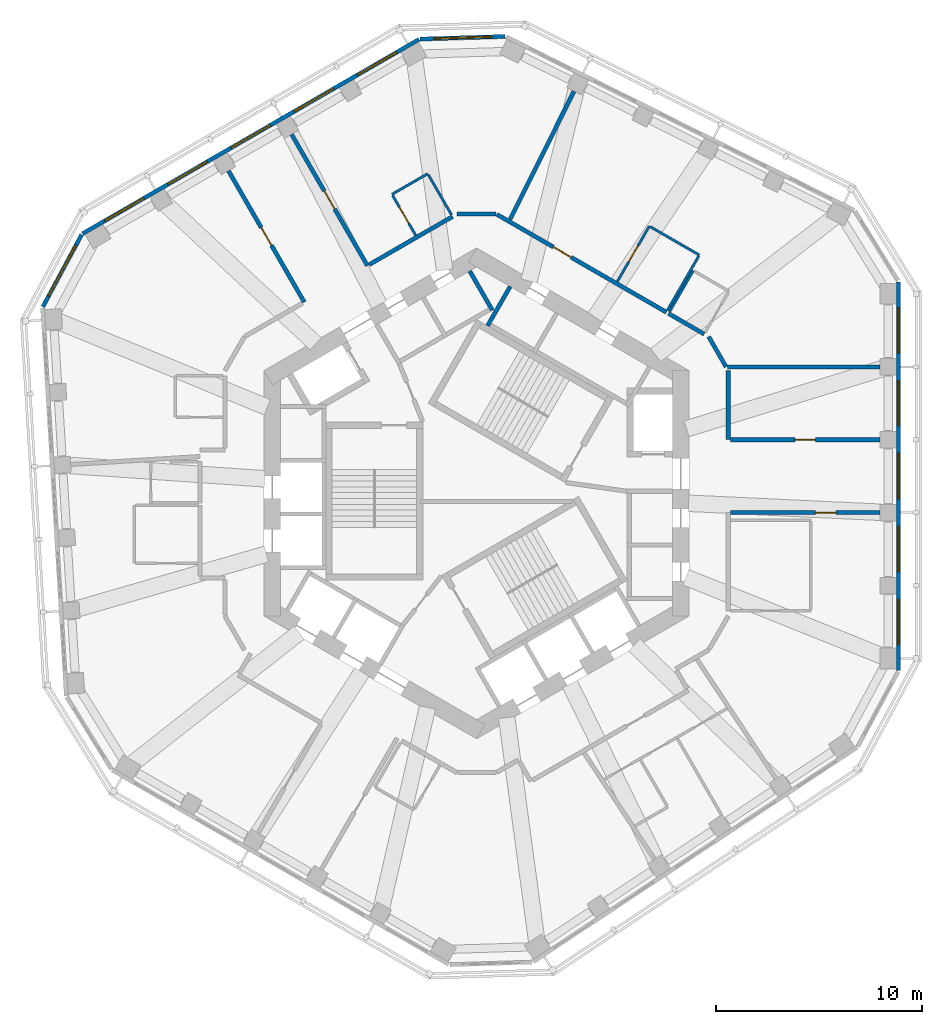
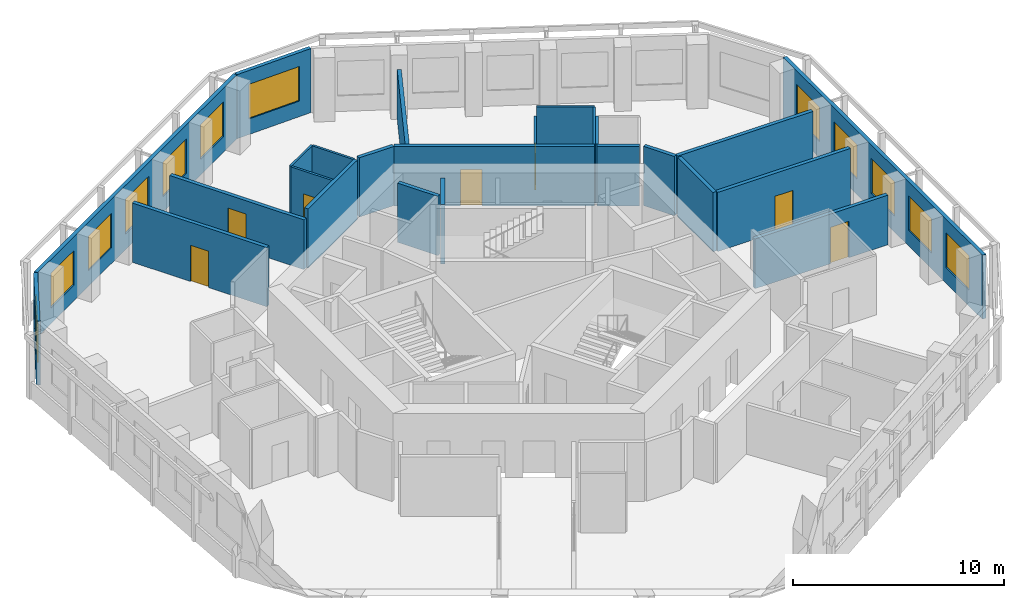
# One storey, part 7 of 11: 25 walls, 12 windows, 7 doors, 19 openings.
"""IFC4 building model written with IfcOpenShell, lengths in metres."""

from ifc_helpers import new_model, si_unit, direction, frame, frame_2d, origin, place, context, subcontext, project, spatial, rectangle, extrude, material, layer, layer_set, type_object, element, fill, save


model = new_model("IFC4")

# Units and contexts
model_context = context("Model", 3, precision=1e-05, world=origin(), true_north=direction((0.0, 1.0)))
body_context = subcontext(model_context, "Body", "Model", "MODEL_VIEW")
ifc_project = project(units=[si_unit("LENGTHUNIT", "METRE"), si_unit("AREAUNIT", "SQUARE_METRE"), si_unit("VOLUMEUNIT", "CUBIC_METRE"), si_unit("PLANEANGLEUNIT", "RADIAN"), si_unit("MASSUNIT", "GRAM", prefix="KILO")], contexts=[model_context])

# Site, building, storey
site_placement = place(None, origin())
site = spatial("IfcSite", under=ifc_project, at=site_placement, CompositionType="ELEMENT")
building_placement = place(site_placement, origin())
building = spatial("IfcBuilding", under=site, at=building_placement, Name="Vanh Sen Convention Tower", CompositionType="ELEMENT")
storey_placement = place(building_placement, frame((0.0, 0.0, 243.89990234375)))
storey = spatial("IfcBuildingStorey", under=building, at=storey_placement, Name="L60", CompositionType="ELEMENT", Elevation=243.89990234375)

# Wall
ifc_material_1 = material(Name="Moisture-resistant gypsum board on steel studs", Category="steel")
ifc_layer_1 = layer(ifc_material_1, 0.1201171875)
ifc_layer_set_1 = layer_set([ifc_layer_1], Name="Moisture-resistant gypsum board on steel studs")
wall_type_1 = type_object("IfcWallType", Name="Bathroom partition 120", PredefinedType="PARTITIONING", material=ifc_layer_set_1)
wall_1_placement = place(storey_placement, frame((-4.0986328125, 14.4921875, 0.0), z_axis=(0.0, 0.0, 1.0), x_axis=(0.866041268327, 0.499972520799, 0.0)))
element("IfcWall", 1, at=wall_1_placement, inside=storey, type_object=wall_type_1, Name="Bathroom partition 120", PredefinedType="PARTITIONING", context=body_context, shape_type="SweptSolid", body=[
    extrude(rectangle(XDim=2.0, YDim=0.1201171875, at=frame_2d((1.0, 0.0))), origin(), (0.0, 0.0, 1.0), 3.420166015625),
])

# Wall, opening, door
wall_2_placement = place(storey_placement, frame((-2.948486328125, 12.50048828125, 0.0), z_axis=(0.0, 0.0, 1.0), x_axis=(-0.500077830873, 0.865980463445, 0.0)))
wall_2 = element("IfcWall", 2, at=wall_2_placement, inside=storey, type_object=wall_type_1, Name="Bathroom partition 120", PredefinedType="PARTITIONING", context=body_context, shape_type="SweptSolid", body=[
    extrude(rectangle(XDim=2.239990234375, YDim=0.1201171875, at=frame_2d((1.1201171875, 0.0))), origin(), (0.0, 0.0, 1.0), 3.420166015625),
])
opening_1_placement = place(wall_2_placement, frame((0.669921875, 0.0, 0.0)))
opening_1 = element("IfcOpeningElement", 3, at=opening_1_placement, cuts=wall_2, Name="Opening D59106", PredefinedType="OPENING", context=body_context, shape_type="SweptSolid", body=[
    extrude(rectangle(XDim=0.89990234375, YDim=2.10009765625, at=frame_2d((0.449951171875, 1.050048828125))), frame((0.0, 0.070068359375, 0.0), z_axis=(0.0, -1.0, 0.0), x_axis=(1.0, 0.0, 0.0)), (0.0, 0.0, 1.0), 0.14013671875),
])
ifc_material_2 = material(Name="Laminate door in steel frame", Category="steel")
door_type_1 = type_object("IfcDoorType", Name="Room internal door 900", OperationType="SINGLE_SWING_LEFT", PredefinedType="DOOR", material=ifc_material_2)
door_1_placement = place(opening_1_placement, origin())
door_1 = element("IfcDoor", 4, at=door_1_placement, inside=storey, type_object=door_type_1, Name="Internal room door D59106", OperationType="SINGLE_SWING_LEFT", OverallHeight=2.10009765625, OverallWidth=0.89990234375, PredefinedType="DOOR", context=body_context, shape_type="SweptSolid", body=[
    extrude(rectangle(XDim=0.89990234375, YDim=2.10009765625, at=frame_2d((0.449951171875, 1.050048828125))), frame((0.0, 0.02490234375, 0.0), z_axis=(0.0, -1.0, 0.0), x_axis=(1.0, 0.0, 0.0)), (0.0, 0.0, 1.0), 0.050048828125),
])
fill(opening_1, door_1)

# Wall
wall_3_placement = place(storey_placement, frame((-2.33642578125, 15.440185546875, 0.0), z_axis=(0.0, 0.0, 1.0), x_axis=(0.49999608499, -0.866027664105, 0.0)))
element("IfcWall", 5, at=wall_3_placement, inside=storey, type_object=wall_type_1, Name="Bathroom partition 120", PredefinedType="PARTITIONING", context=body_context, shape_type="SweptSolid", body=[
    extrude(rectangle(XDim=2.23974609375, YDim=0.1201171875, at=frame_2d((1.119873046875, 0.0))), origin(), (0.0, 0.0, 1.0), 3.420166015625),
])

# Wall, opening, door
wall_4_placement = place(storey_placement, frame((6.822509765625, 10.263671875, 0.0), z_axis=(0.0, 0.0, 1.0), x_axis=(0.49999285859, 0.86602952684, 0.0)))
wall_4 = element("IfcWall", 6, at=wall_4_placement, inside=storey, type_object=wall_type_1, Name="Bathroom partition 120", PredefinedType="PARTITIONING", context=body_context, shape_type="SweptSolid", body=[
    extrude(rectangle(XDim=3.10009765625, YDim=0.1201171875, at=frame_2d((1.550048828125, 0.0))), origin(), (0.0, 0.0, 1.0), 2.8701171875),
])
opening_2_placement = place(wall_4_placement, frame((1.10009765625, 0.0, 0.0)))
opening_2 = element("IfcOpeningElement", 7, at=opening_2_placement, cuts=wall_4, Name="Opening D59104", PredefinedType="OPENING", context=body_context, shape_type="SweptSolid", body=[
    extrude(rectangle(XDim=0.89990234375, YDim=2.10009765625, at=frame_2d((0.449951171875, 1.050048828125))), frame((0.0, 0.070068359375, 0.0), z_axis=(0.0, -1.0, 0.0), x_axis=(1.0, 0.0, 0.0)), (0.0, 0.0, 1.0), 0.14013671875),
])
door_2_placement = place(opening_2_placement, origin())
door_2 = element("IfcDoor", 8, at=door_2_placement, inside=storey, type_object=door_type_1, Name="Internal room door D59104", OperationType="SINGLE_SWING_LEFT", OverallHeight=2.10009765625, OverallWidth=0.89990234375, PredefinedType="DOOR", context=body_context, shape_type="SweptSolid", body=[
    extrude(rectangle(XDim=0.89990234375, YDim=2.10009765625, at=frame_2d((0.449951171875, 1.050048828125))), frame((0.0, 0.02490234375, 0.0), z_axis=(0.0, -1.0, 0.0), x_axis=(1.0, 0.0, 0.0)), (0.0, 0.0, 1.0), 0.050048828125),
])
fill(opening_2, door_2)

# Walls
wall_5_placement = place(storey_placement, frame((8.424560546875, 12.91845703125, 0.0), z_axis=(0.0, 0.0, 1.0), x_axis=(0.866019409031, -0.500010383074, 0.0)))
element("IfcWall", 9, at=wall_5_placement, inside=storey, type_object=wall_type_1, Name="Bathroom partition 120", PredefinedType="PARTITIONING", context=body_context, shape_type="SweptSolid", body=[
    extrude(rectangle(XDim=2.740234375, YDim=0.1201171875, at=frame_2d((1.3701171875, 0.0))), origin(), (0.0, 0.0, 1.0), 3.420166015625),
])
wall_6_placement = place(storey_placement, frame((9.351318359375, 8.8037109375, 0.0), z_axis=(0.0, 0.0, 1.0), x_axis=(0.500031774688, 0.866007057882, 0.0)))
element("IfcWall", 10, at=wall_6_placement, inside=storey, type_object=wall_type_1, Name="Bathroom partition 120", PredefinedType="PARTITIONING", context=body_context, shape_type="SweptSolid", body=[
    extrude(rectangle(XDim=2.300048828125, YDim=0.1201171875, at=frame_2d((1.14990234375, 0.0))), origin(), (0.0, 0.0, 1.0), 3.420166015625),
])
wall_7_placement = place(storey_placement, frame((10.767578125, 11.496337890625, 0.0), z_axis=(0.0, 0.0, 1.0), x_axis=(-0.500026023896, -0.86601037836, 0.0)))
element("IfcWall", 11, at=wall_7_placement, inside=storey, type_object=wall_type_1, Name="Bathroom partition 120", PredefinedType="PARTITIONING", context=body_context, shape_type="SweptSolid", body=[
    extrude(rectangle(XDim=3.039794921875, YDim=0.1201171875, at=frame_2d((1.52001953125, 0.0))), origin(), (0.0, 0.0, 1.0), 3.420166015625),
])

# Wall, opening, door
ifc_material_3 = material(Name="Gypsum board on steel studs with mineral wool", Category="steel")
ifc_layer_2 = layer(ifc_material_3, 0.199951171875)
ifc_layer_set_2 = layer_set([ifc_layer_2], Name="Gypsum board on steel studs with mineral wool")
wall_type_2 = type_object("IfcWallType", Name="Corridor partition wall 200", PredefinedType="PARTITIONING", material=ifc_layer_set_2)
wall_8_placement = place(storey_placement, frame((-12.02490234375, 15.6318359375, 0.0), z_axis=(0.0, 0.0, 1.0), x_axis=(0.499983153418, -0.866035129944, 0.0)))
wall_8 = element("IfcWall", 12, at=wall_8_placement, inside=storey, type_object=wall_type_2, Name="Corridor partition wall 200", PredefinedType="PARTITIONING", context=body_context, shape_type="SweptSolid", body=[
    extrude(rectangle(XDim=7.349853515625, YDim=0.199951171875, at=frame_2d((3.6748046875, 0.0))), origin(), (0.0, 0.0, 1.0), 3.420166015625),
])
opening_3_placement = place(wall_8_placement, frame((3.175048828125, 0.0, 0.0)))
opening_3 = element("IfcOpeningElement", 13, at=opening_3_placement, cuts=wall_8, Name="Opening D59107", PredefinedType="OPENING", context=body_context, shape_type="SweptSolid", body=[
    extrude(rectangle(XDim=1.0, YDim=2.10009765625, at=frame_2d((0.5, 1.050048828125))), frame((0.0, 0.10986328125, 0.0), z_axis=(0.0, -1.0, 0.0), x_axis=(1.0, 0.0, 0.0)), (0.0, 0.0, 1.0), 0.219970703125),
])
ifc_material_4 = material(Name="Glazed fire door in steel frame", Category="steel")
door_type_2 = type_object("IfcDoorType", Name="Tenant entrance door 1000", OperationType="SINGLE_SWING_LEFT", PredefinedType="DOOR", material=ifc_material_4)
door_3_placement = place(opening_3_placement, origin())
door_3 = element("IfcDoor", 14, at=door_3_placement, inside=storey, type_object=door_type_2, Name="Tenant suite entrance door D59107", OperationType="SINGLE_SWING_LEFT", OverallHeight=2.10009765625, OverallWidth=1.0, PredefinedType="DOOR", context=body_context, shape_type="SweptSolid", body=[
    extrude(rectangle(XDim=1.0, YDim=2.10009765625, at=frame_2d((0.5, 1.050048828125))), frame((0.0, 0.02490234375, 0.0), z_axis=(0.0, -1.0, 0.0), x_axis=(1.0, 0.0, 0.0)), (0.0, 0.0, 1.0), 0.050048828125),
])
fill(opening_3, door_3)

wall_9_placement = place(storey_placement, frame((-8.96484375, 17.398681640625, 0.0), z_axis=(0.0, 0.0, 1.0), x_axis=(0.499993683172, -0.866029050776, 0.0)))
wall_9 = element("IfcWall", 15, at=wall_9_placement, inside=storey, type_object=wall_type_2, Name="Corridor partition wall 200", PredefinedType="PARTITIONING", context=body_context, shape_type="SweptSolid", body=[
    extrude(rectangle(XDim=7.35009765625, YDim=0.199951171875, at=frame_2d((3.675048828125, 0.0))), origin(), (0.0, 0.0, 1.0), 2.8701171875),
])
opening_4_placement = place(wall_9_placement, frame((3.175048828125, 0.0, 0.0)))
opening_4 = element("IfcOpeningElement", 16, at=opening_4_placement, cuts=wall_9, Name="Opening D59105", PredefinedType="OPENING", context=body_context, shape_type="SweptSolid", body=[
    extrude(rectangle(XDim=1.0, YDim=2.10009765625, at=frame_2d((0.5, 1.050048828125))), frame((0.0, 0.10986328125, 0.0), z_axis=(0.0, -1.0, 0.0), x_axis=(1.0, 0.0, 0.0)), (0.0, 0.0, 1.0), 0.219970703125),
])
door_4_placement = place(opening_4_placement, origin())
door_4 = element("IfcDoor", 17, at=door_4_placement, inside=storey, type_object=door_type_2, Name="Tenant suite entrance door D59105", OperationType="SINGLE_SWING_LEFT", OverallHeight=2.10009765625, OverallWidth=1.0, PredefinedType="DOOR", context=body_context, shape_type="SweptSolid", body=[
    extrude(rectangle(XDim=1.0, YDim=2.10009765625, at=frame_2d((0.5, 1.050048828125))), frame((0.0, 0.02490234375, 0.0), z_axis=(0.0, -1.0, 0.0), x_axis=(1.0, 0.0, 0.0)), (0.0, 0.0, 1.0), 0.050048828125),
])
fill(opening_4, door_4)

# Walls
wall_10_placement = place(storey_placement, frame((-1.16650390625, 13.413818359375, 0.0), z_axis=(0.0, 0.0, 1.0), x_axis=(-0.866023347809, -0.500003561037, 0.0)))
element("IfcWall", 18, at=wall_10_placement, inside=storey, type_object=wall_type_2, Name="Corridor partition wall 200", PredefinedType="PARTITIONING", context=body_context, shape_type="SweptSolid", body=[
    extrude(rectangle(XDim=4.6611328125, YDim=0.199951171875, at=frame_2d((2.33056640625, 0.0))), origin(), (0.0, 0.0, 1.0), 3.420166015625),
])
wall_11_placement = place(storey_placement, frame((0.949951171875, 13.538818359375, 0.0), z_axis=(0.0, 0.0, 1.0), x_axis=(-1.0, 0.0, 0.0)))
element("IfcWall", 19, at=wall_11_placement, inside=storey, type_object=wall_type_2, Name="Corridor partition wall 200", PredefinedType="PARTITIONING", context=body_context, shape_type="SweptSolid", body=[
    extrude(rectangle(XDim=1.89990234375, YDim=0.199951171875, at=frame_2d((0.949951171875, 0.0))), origin(), (0.0, 0.0, 1.0), 3.420166015625),
])

# Wall, opening, door
wall_12_placement = place(storey_placement, frame((9.197509765625, 8.777099609375, 0.0), z_axis=(0.0, 0.0, 1.0), x_axis=(-0.866026106692, 0.499998782526, 0.0)))
wall_12 = element("IfcWall", 20, at=wall_12_placement, inside=storey, type_object=wall_type_2, Name="Corridor partition wall 200", PredefinedType="PARTITIONING", context=body_context, shape_type="SweptSolid", body=[
    extrude(rectangle(XDim=9.4833984375, YDim=0.199951171875, at=frame_2d((4.74169921875, 0.0))), origin(), (0.0, 0.0, 1.0), 3.420166015625),
])
opening_5_placement = place(wall_12_placement, frame((5.3251953125, 0.0, 0.0)))
opening_5 = element("IfcOpeningElement", 21, at=opening_5_placement, cuts=wall_12, Name="Opening D59102", PredefinedType="OPENING", context=body_context, shape_type="SweptSolid", body=[
    extrude(rectangle(XDim=1.0, YDim=2.10009765625, at=frame_2d((0.5, 1.050048828125))), frame((0.0, 0.10986328125, 0.0), z_axis=(0.0, -1.0, 0.0), x_axis=(1.0, 0.0, 0.0)), (0.0, 0.0, 1.0), 0.219970703125),
])
door_5_placement = place(opening_5_placement, origin())
door_5 = element("IfcDoor", 22, at=door_5_placement, inside=storey, type_object=door_type_2, Name="Tenant suite entrance door D59102", OperationType="SINGLE_SWING_LEFT", OverallHeight=2.10009765625, OverallWidth=1.0, PredefinedType="DOOR", context=body_context, shape_type="SweptSolid", body=[
    extrude(rectangle(XDim=1.0, YDim=2.10009765625, at=frame_2d((0.5, 1.050048828125))), frame((0.0, 0.02490234375, 0.0), z_axis=(0.0, -1.0, 0.0), x_axis=(1.0, 0.0, 0.0)), (0.0, 0.0, 1.0), 0.050048828125),
])
fill(opening_5, door_5)

# Walls
wall_13_placement = place(storey_placement, frame((11.033447265625, 7.717041015625, 0.0), z_axis=(0.0, 0.0, 1.0), x_axis=(-0.866010750942, 0.50002537861, 0.0)))
element("IfcWall", 23, at=wall_13_placement, inside=storey, type_object=wall_type_2, Name="Corridor partition wall 200", PredefinedType="PARTITIONING", context=body_context, shape_type="SweptSolid", body=[
    extrude(rectangle(XDim=2.0, YDim=0.199951171875, at=frame_2d((1.0, 0.0))), origin(), (0.0, 0.0, 1.0), 3.420166015625),
])
wall_14_placement = place(storey_placement, frame((12.09326171875, 6.131591796875, 0.0), z_axis=(0.0, 0.0, 1.0), x_axis=(-0.500031561776, 0.866007180818, 0.0)))
element("IfcWall", 24, at=wall_14_placement, inside=storey, type_object=wall_type_2, Name="Corridor partition wall 200", PredefinedType="PARTITIONING", context=body_context, shape_type="SweptSolid", body=[
    extrude(rectangle(XDim=1.6865234375, YDim=0.199951171875, at=frame_2d((0.84326171875, 0.0))), origin(), (0.0, 0.0, 1.0), 3.420166015625),
])
wall_15_placement = place(storey_placement, frame((12.199951171875, 2.59814453125, 0.0), z_axis=(0.0, 0.0, 1.0), x_axis=(0.0, 1.0, 0.0)))
element("IfcWall", 25, at=wall_15_placement, inside=storey, type_object=wall_type_2, Name="Corridor partition wall 200", PredefinedType="PARTITIONING", context=body_context, shape_type="SweptSolid", body=[
    extrude(rectangle(XDim=3.3486328125, YDim=0.199951171875, at=frame_2d((1.67431640625, 0.0))), origin(), (0.0, 0.0, 1.0), 3.420166015625),
])

# Wall, opening, door
wall_16_placement = place(storey_placement, frame((12.300048828125, -0.935546875, 0.0), z_axis=(0.0, 0.0, 1.0), x_axis=(1.0, 0.0, 0.0)))
wall_16 = element("IfcWall", 26, at=wall_16_placement, inside=storey, type_object=wall_type_2, Name="Corridor partition wall 200", PredefinedType="PARTITIONING", context=body_context, shape_type="SweptSolid", body=[
    extrude(rectangle(XDim=7.25, YDim=0.199951171875, at=frame_2d((3.625, 0.0))), origin(), (0.0, 0.0, 1.0), 2.8701171875),
])
opening_6_placement = place(wall_16_placement, frame((4.125, 0.0, 0.0)))
opening_6 = element("IfcOpeningElement", 27, at=opening_6_placement, cuts=wall_16, Name="Opening D59118", PredefinedType="OPENING", context=body_context, shape_type="SweptSolid", body=[
    extrude(rectangle(XDim=1.0, YDim=2.10009765625, at=frame_2d((0.5, 1.050048828125))), frame((0.0, 0.10986328125, 0.0), z_axis=(0.0, -1.0, 0.0), x_axis=(1.0, 0.0, 0.0)), (0.0, 0.0, 1.0), 0.219970703125),
])
door_6_placement = place(opening_6_placement, origin())
door_6 = element("IfcDoor", 28, at=door_6_placement, inside=storey, type_object=door_type_2, Name="Tenant suite entrance door D59118", OperationType="SINGLE_SWING_LEFT", OverallHeight=2.10009765625, OverallWidth=1.0, PredefinedType="DOOR", context=body_context, shape_type="SweptSolid", body=[
    extrude(rectangle(XDim=1.0, YDim=2.10009765625, at=frame_2d((0.5, 1.050048828125))), frame((0.0, 0.02490234375, 0.0), z_axis=(0.0, -1.0, 0.0), x_axis=(1.0, 0.0, 0.0)), (0.0, 0.0, 1.0), 0.050048828125),
])
fill(opening_6, door_6)

wall_17_placement = place(storey_placement, frame((19.550048828125, 2.59814453125, 0.0), z_axis=(0.0, 0.0, 1.0), x_axis=(-1.0, 0.0, 0.0)))
wall_17 = element("IfcWall", 29, at=wall_17_placement, inside=storey, type_object=wall_type_2, Name="Corridor partition wall 200", PredefinedType="PARTITIONING", context=body_context, shape_type="SweptSolid", body=[
    extrude(rectangle(XDim=7.25, YDim=0.199951171875, at=frame_2d((3.625, 0.0))), origin(), (0.0, 0.0, 1.0), 3.420166015625),
])
opening_7_placement = place(wall_17_placement, frame((3.125, 0.0, 0.0)))
opening_7 = element("IfcOpeningElement", 30, at=opening_7_placement, cuts=wall_17, Name="Opening D59101", PredefinedType="OPENING", context=body_context, shape_type="SweptSolid", body=[
    extrude(rectangle(XDim=1.0, YDim=2.10009765625, at=frame_2d((0.5, 1.050048828125))), frame((0.0, 0.10986328125, 0.0), z_axis=(0.0, -1.0, 0.0), x_axis=(1.0, 0.0, 0.0)), (0.0, 0.0, 1.0), 0.219970703125),
])
door_7_placement = place(opening_7_placement, origin())
door_7 = element("IfcDoor", 31, at=door_7_placement, inside=storey, type_object=door_type_2, Name="Tenant suite entrance door D59101", OperationType="SINGLE_SWING_LEFT", OverallHeight=2.10009765625, OverallWidth=1.0, PredefinedType="DOOR", context=body_context, shape_type="SweptSolid", body=[
    extrude(rectangle(XDim=1.0, YDim=2.10009765625, at=frame_2d((0.5, 1.050048828125))), frame((0.0, 0.02490234375, 0.0), z_axis=(0.0, -1.0, 0.0), x_axis=(1.0, 0.0, 0.0)), (0.0, 0.0, 1.0), 0.050048828125),
])
fill(opening_7, door_7)

# Wall, openings, windows
ifc_material_5 = material(Name="Insulated lightweight infill wall")
ifc_layer_3 = layer(ifc_material_5, 0.199951171875)
ifc_layer_set_3 = layer_set([ifc_layer_3], Name="Insulated lightweight infill wall")
wall_type_3 = type_object("IfcWallType", Name="External wall 200", PredefinedType="STANDARD", material=ifc_layer_set_3)
wall_18_placement = place(storey_placement, frame((20.449951171875, -8.590087890625, 0.0), z_axis=(0.0, 0.0, 1.0), x_axis=(0.0, 1.0, 0.0)))
wall_18 = element("IfcWall", 32, at=wall_18_placement, inside=storey, type_object=wall_type_3, Name="External wall E L60", PredefinedType="STANDARD", context=body_context, shape_type="SweptSolid", body=[
    extrude(rectangle(XDim=18.84130859375, YDim=0.199951171875, at=frame_2d((9.420654296875, 0.0))), origin(), (0.0, 0.0, 1.0), 3.7001953125),
])
opening_8_placement = place(wall_18_placement, frame((1.254150390625, 0.0, 0.89990234375)))
opening_8 = element("IfcOpeningElement", 33, at=opening_8_placement, cuts=wall_18, Name="Opening WO3-E1", PredefinedType="OPENING", context=body_context, shape_type="SweptSolid", body=[
    extrude(rectangle(XDim=2.199951171875, YDim=2.0, at=frame_2d((1.10009765625, 1.0))), frame((0.0, 0.10986328125, 0.0), z_axis=(0.0, -1.0, 0.0), x_axis=(1.0, 0.0, 0.0)), (0.0, 0.0, 1.0), 0.219970703125),
])
opening_9_placement = place(wall_18_placement, frame((4.787841796875, 0.0, 0.89990234375)))
opening_9 = element("IfcOpeningElement", 34, at=opening_9_placement, cuts=wall_18, Name="Opening WO3-E2", PredefinedType="OPENING", context=body_context, shape_type="SweptSolid", body=[
    extrude(rectangle(XDim=2.199951171875, YDim=2.0, at=frame_2d((1.10009765625, 1.0))), frame((0.0, 0.10986328125, 0.0), z_axis=(0.0, -1.0, 0.0), x_axis=(1.0, 0.0, 0.0)), (0.0, 0.0, 1.0), 0.219970703125),
])
opening_10_placement = place(wall_18_placement, frame((8.321533203125, 0.0, 0.89990234375)))
opening_10 = element("IfcOpeningElement", 35, at=opening_10_placement, cuts=wall_18, Name="Opening WO3-E3", PredefinedType="OPENING", context=body_context, shape_type="SweptSolid", body=[
    extrude(rectangle(XDim=2.199951171875, YDim=2.0, at=frame_2d((1.10009765625, 1.0))), frame((0.0, 0.10986328125, 0.0), z_axis=(0.0, -1.0, 0.0), x_axis=(1.0, 0.0, 0.0)), (0.0, 0.0, 1.0), 0.219970703125),
])
opening_11_placement = place(wall_18_placement, frame((11.85498046875, 0.0, 0.89990234375)))
opening_11 = element("IfcOpeningElement", 36, at=opening_11_placement, cuts=wall_18, Name="Opening WO3-E4", PredefinedType="OPENING", context=body_context, shape_type="SweptSolid", body=[
    extrude(rectangle(XDim=2.199951171875, YDim=2.0, at=frame_2d((1.10009765625, 1.0))), frame((0.0, 0.10986328125, 0.0), z_axis=(0.0, -1.0, 0.0), x_axis=(1.0, 0.0, 0.0)), (0.0, 0.0, 1.0), 0.219970703125),
])
opening_12_placement = place(wall_18_placement, frame((15.388671875, 0.0, 0.89990234375)))
opening_12 = element("IfcOpeningElement", 37, at=opening_12_placement, cuts=wall_18, Name="Opening WO3-E5", PredefinedType="OPENING", context=body_context, shape_type="SweptSolid", body=[
    extrude(rectangle(XDim=2.199951171875, YDim=2.0, at=frame_2d((1.10009765625, 1.0))), frame((0.0, 0.10986328125, 0.0), z_axis=(0.0, -1.0, 0.0), x_axis=(1.0, 0.0, 0.0)), (0.0, 0.0, 1.0), 0.219970703125),
])
ifc_material_6 = material(Name="Aluminium frame with clear low-emissivity glass", Category="aluminium")
window_type_1 = type_object("IfcWindowType", Name="Office window 2200 x 2000", PartitioningType="SINGLE_PANEL", PredefinedType="WINDOW", material=ifc_material_6)
window_1_placement = place(opening_8_placement, origin())
window_1 = element("IfcWindow", 38, at=window_1_placement, inside=storey, type_object=window_type_1, Name="Window WO3-E1", OverallHeight=2.0, OverallWidth=2.199951171875, PartitioningType="SINGLE_PANEL", PredefinedType="WINDOW", context=body_context, shape_type="SweptSolid", body=[
    extrude(rectangle(XDim=2.199951171875, YDim=2.0, at=frame_2d((1.10009765625, 1.0))), frame((0.0, 0.030029296875, 0.0), z_axis=(0.0, -1.0, 0.0), x_axis=(1.0, 0.0, 0.0)), (0.0, 0.0, 1.0), 0.06005859375),
])
fill(opening_8, window_1)
window_2_placement = place(opening_9_placement, origin())
window_2 = element("IfcWindow", 39, at=window_2_placement, inside=storey, type_object=window_type_1, Name="Window WO3-E2", OverallHeight=2.0, OverallWidth=2.199951171875, PartitioningType="SINGLE_PANEL", PredefinedType="WINDOW", context=body_context, shape_type="SweptSolid", body=[
    extrude(rectangle(XDim=2.199951171875, YDim=2.0, at=frame_2d((1.10009765625, 1.0))), frame((0.0, 0.030029296875, 0.0), z_axis=(0.0, -1.0, 0.0), x_axis=(1.0, 0.0, 0.0)), (0.0, 0.0, 1.0), 0.06005859375),
])
fill(opening_9, window_2)
window_3_placement = place(opening_10_placement, origin())
window_3 = element("IfcWindow", 40, at=window_3_placement, inside=storey, type_object=window_type_1, Name="Window WO3-E3", OverallHeight=2.0, OverallWidth=2.199951171875, PartitioningType="SINGLE_PANEL", PredefinedType="WINDOW", context=body_context, shape_type="SweptSolid", body=[
    extrude(rectangle(XDim=2.199951171875, YDim=2.0, at=frame_2d((1.10009765625, 1.0))), frame((0.0, 0.030029296875, 0.0), z_axis=(0.0, -1.0, 0.0), x_axis=(1.0, 0.0, 0.0)), (0.0, 0.0, 1.0), 0.06005859375),
])
fill(opening_10, window_3)
window_4_placement = place(opening_11_placement, origin())
window_4 = element("IfcWindow", 41, at=window_4_placement, inside=storey, type_object=window_type_1, Name="Window WO3-E4", OverallHeight=2.0, OverallWidth=2.199951171875, PartitioningType="SINGLE_PANEL", PredefinedType="WINDOW", context=body_context, shape_type="SweptSolid", body=[
    extrude(rectangle(XDim=2.199951171875, YDim=2.0, at=frame_2d((1.10009765625, 1.0))), frame((0.0, 0.030029296875, 0.0), z_axis=(0.0, -1.0, 0.0), x_axis=(1.0, 0.0, 0.0)), (0.0, 0.0, 1.0), 0.06005859375),
])
fill(opening_11, window_4)
window_5_placement = place(opening_12_placement, origin())
window_5 = element("IfcWindow", 42, at=window_5_placement, inside=storey, type_object=window_type_1, Name="Window WO3-E5", OverallHeight=2.0, OverallWidth=2.199951171875, PartitioningType="SINGLE_PANEL", PredefinedType="WINDOW", context=body_context, shape_type="SweptSolid", body=[
    extrude(rectangle(XDim=2.199951171875, YDim=2.0, at=frame_2d((1.10009765625, 1.0))), frame((0.0, 0.030029296875, 0.0), z_axis=(0.0, -1.0, 0.0), x_axis=(1.0, 0.0, 0.0)), (0.0, 0.0, 1.0), 0.06005859375),
])
fill(opening_12, window_5)

# Wall, opening, window
wall_19_placement = place(storey_placement, frame((1.389404296875, 22.144775390625, 0.0), z_axis=(0.0, 0.0, 1.0), x_axis=(-0.999534702881, -0.030502093955, 0.0)))
wall_19 = element("IfcWall", 43, at=wall_19_placement, inside=storey, type_object=wall_type_3, Name="External wall CH2 L60", PredefinedType="STANDARD", context=body_context, shape_type="SweptSolid", body=[
    extrude(rectangle(XDim=4.130126953125, YDim=0.199951171875, at=frame_2d((2.06494140625, 0.0))), origin(), (0.0, 0.0, 1.0), 3.7001953125),
])
opening_13_placement = place(wall_19_placement, frame((0.6650390625, 0.0, 0.89990234375)))
opening_13 = element("IfcOpeningElement", 44, at=opening_13_placement, cuts=wall_19, Name="Opening WO4-CH21", PredefinedType="OPENING", context=body_context, shape_type="SweptSolid", body=[
    extrude(rectangle(XDim=2.800048828125, YDim=2.0, at=frame_2d((1.39990234375, 1.0))), frame((0.0, 0.10986328125, 0.0), z_axis=(0.0, -1.0, 0.0), x_axis=(1.0, 0.0, 0.0)), (0.0, 0.0, 1.0), 0.219970703125),
])
window_type_2 = type_object("IfcWindowType", Name="Office window 2800 x 2000", PartitioningType="SINGLE_PANEL", PredefinedType="WINDOW", material=ifc_material_6)
window_6_placement = place(opening_13_placement, origin())
window_6 = element("IfcWindow", 45, at=window_6_placement, inside=storey, type_object=window_type_2, Name="Window WO4-CH21", OverallHeight=2.0, OverallWidth=2.800048828125, PartitioningType="SINGLE_PANEL", PredefinedType="WINDOW", context=body_context, shape_type="SweptSolid", body=[
    extrude(rectangle(XDim=2.800048828125, YDim=2.0, at=frame_2d((1.39990234375, 1.0))), frame((0.0, 0.030029296875, 0.0), z_axis=(0.0, -1.0, 0.0), x_axis=(1.0, 0.0, 0.0)), (0.0, 0.0, 1.0), 0.06005859375),
])
fill(opening_13, window_6)

# Wall, openings, windows
wall_20_placement = place(storey_placement, frame((-2.78564453125, 22.00537109375, 0.0), z_axis=(0.0, 0.0, 1.0), x_axis=(-0.866026555358, -0.49999800541, 0.0)))
wall_20 = element("IfcWall", 46, at=wall_20_placement, inside=storey, type_object=wall_type_3, Name="External wall NW L60", PredefinedType="STANDARD", context=body_context, shape_type="SweptSolid", body=[
    extrude(rectangle(XDim=18.84130859375, YDim=0.199951171875, at=frame_2d((9.420654296875, 0.0))), origin(), (0.0, 0.0, 1.0), 3.7001953125),
])
opening_14_placement = place(wall_20_placement, frame((1.254150390625, 0.0, 0.89990234375)))
opening_14 = element("IfcOpeningElement", 47, at=opening_14_placement, cuts=wall_20, Name="Opening WO3-NW1", PredefinedType="OPENING", context=body_context, shape_type="SweptSolid", body=[
    extrude(rectangle(XDim=2.199951171875, YDim=2.0, at=frame_2d((1.10009765625, 1.0))), frame((0.0, 0.10986328125, 0.0), z_axis=(0.0, -1.0, 0.0), x_axis=(1.0, 0.0, 0.0)), (0.0, 0.0, 1.0), 0.219970703125),
])
opening_15_placement = place(wall_20_placement, frame((4.787841796875, 0.0, 0.89990234375)))
opening_15 = element("IfcOpeningElement", 48, at=opening_15_placement, cuts=wall_20, Name="Opening WO3-NW2", PredefinedType="OPENING", context=body_context, shape_type="SweptSolid", body=[
    extrude(rectangle(XDim=2.199951171875, YDim=2.0, at=frame_2d((1.10009765625, 1.0))), frame((0.0, 0.10986328125, 0.0), z_axis=(0.0, -1.0, 0.0), x_axis=(1.0, 0.0, 0.0)), (0.0, 0.0, 1.0), 0.219970703125),
])
opening_16_placement = place(wall_20_placement, frame((8.3212890625, 0.0, 0.89990234375)))
opening_16 = element("IfcOpeningElement", 49, at=opening_16_placement, cuts=wall_20, Name="Opening WO3-NW3", PredefinedType="OPENING", context=body_context, shape_type="SweptSolid", body=[
    extrude(rectangle(XDim=2.199951171875, YDim=2.0, at=frame_2d((1.10009765625, 1.0))), frame((0.0, 0.10986328125, 0.0), z_axis=(0.0, -1.0, 0.0), x_axis=(1.0, 0.0, 0.0)), (0.0, 0.0, 1.0), 0.219970703125),
])
opening_17_placement = place(wall_20_placement, frame((11.85498046875, 0.0, 0.89990234375)))
opening_17 = element("IfcOpeningElement", 50, at=opening_17_placement, cuts=wall_20, Name="Opening WO3-NW4", PredefinedType="OPENING", context=body_context, shape_type="SweptSolid", body=[
    extrude(rectangle(XDim=2.199951171875, YDim=2.0, at=frame_2d((1.10009765625, 1.0))), frame((0.0, 0.10986328125, 0.0), z_axis=(0.0, -1.0, 0.0), x_axis=(1.0, 0.0, 0.0)), (0.0, 0.0, 1.0), 0.219970703125),
])
opening_18_placement = place(wall_20_placement, frame((15.388671875, 0.0, 0.89990234375)))
opening_18 = element("IfcOpeningElement", 51, at=opening_18_placement, cuts=wall_20, Name="Opening WO3-NW5", PredefinedType="OPENING", context=body_context, shape_type="SweptSolid", body=[
    extrude(rectangle(XDim=2.199951171875, YDim=2.0, at=frame_2d((1.10009765625, 1.0))), frame((0.0, 0.10986328125, 0.0), z_axis=(0.0, -1.0, 0.0), x_axis=(1.0, 0.0, 0.0)), (0.0, 0.0, 1.0), 0.219970703125),
])
window_7_placement = place(opening_14_placement, origin())
window_7 = element("IfcWindow", 52, at=window_7_placement, inside=storey, type_object=window_type_1, Name="Window WO3-NW1", OverallHeight=2.0, OverallWidth=2.199951171875, PartitioningType="SINGLE_PANEL", PredefinedType="WINDOW", context=body_context, shape_type="SweptSolid", body=[
    extrude(rectangle(XDim=2.199951171875, YDim=2.0, at=frame_2d((1.10009765625, 1.0))), frame((0.0, 0.030029296875, 0.0), z_axis=(0.0, -1.0, 0.0), x_axis=(1.0, 0.0, 0.0)), (0.0, 0.0, 1.0), 0.06005859375),
])
fill(opening_14, window_7)
window_8_placement = place(opening_15_placement, origin())
window_8 = element("IfcWindow", 53, at=window_8_placement, inside=storey, type_object=window_type_1, Name="Window WO3-NW2", OverallHeight=2.0, OverallWidth=2.199951171875, PartitioningType="SINGLE_PANEL", PredefinedType="WINDOW", context=body_context, shape_type="SweptSolid", body=[
    extrude(rectangle(XDim=2.199951171875, YDim=2.0, at=frame_2d((1.10009765625, 1.0))), frame((0.0, 0.030029296875, 0.0), z_axis=(0.0, -1.0, 0.0), x_axis=(1.0, 0.0, 0.0)), (0.0, 0.0, 1.0), 0.06005859375),
])
fill(opening_15, window_8)
window_9_placement = place(opening_16_placement, origin())
window_9 = element("IfcWindow", 54, at=window_9_placement, inside=storey, type_object=window_type_1, Name="Window WO3-NW3", OverallHeight=2.0, OverallWidth=2.199951171875, PartitioningType="SINGLE_PANEL", PredefinedType="WINDOW", context=body_context, shape_type="SweptSolid", body=[
    extrude(rectangle(XDim=2.199951171875, YDim=2.0, at=frame_2d((1.10009765625, 1.0))), frame((0.0, 0.030029296875, 0.0), z_axis=(0.0, -1.0, 0.0), x_axis=(1.0, 0.0, 0.0)), (0.0, 0.0, 1.0), 0.06005859375),
])
fill(opening_16, window_9)
window_10_placement = place(opening_17_placement, origin())
window_10 = element("IfcWindow", 55, at=window_10_placement, inside=storey, type_object=window_type_1, Name="Window WO3-NW4", OverallHeight=2.0, OverallWidth=2.199951171875, PartitioningType="SINGLE_PANEL", PredefinedType="WINDOW", context=body_context, shape_type="SweptSolid", body=[
    extrude(rectangle(XDim=2.199951171875, YDim=2.0, at=frame_2d((1.10009765625, 1.0))), frame((0.0, 0.030029296875, 0.0), z_axis=(0.0, -1.0, 0.0), x_axis=(1.0, 0.0, 0.0)), (0.0, 0.0, 1.0), 0.06005859375),
])
fill(opening_17, window_10)
window_11_placement = place(opening_18_placement, origin())
window_11 = element("IfcWindow", 56, at=window_11_placement, inside=storey, type_object=window_type_1, Name="Window WO3-NW5", OverallHeight=2.0, OverallWidth=2.199951171875, PartitioningType="SINGLE_PANEL", PredefinedType="WINDOW", context=body_context, shape_type="SweptSolid", body=[
    extrude(rectangle(XDim=2.199951171875, YDim=2.0, at=frame_2d((1.10009765625, 1.0))), frame((0.0, 0.030029296875, 0.0), z_axis=(0.0, -1.0, 0.0), x_axis=(1.0, 0.0, 0.0)), (0.0, 0.0, 1.0), 0.06005859375),
])
fill(opening_18, window_11)

# Wall, opening, window
wall_21_placement = place(storey_placement, frame((-19.140869140625, 12.54541015625, 0.0), z_axis=(0.0, 0.0, 1.0), x_axis=(-0.473306370921, -0.880897882416, 0.0)))
wall_21 = element("IfcWall", 57, at=wall_21_placement, inside=storey, type_object=wall_type_3, Name="External wall CH3 L60", PredefinedType="STANDARD", context=body_context, shape_type="SweptSolid", body=[
    extrude(rectangle(XDim=3.982666015625, YDim=0.199951171875, at=frame_2d((1.9912109375, 0.0))), origin(), (0.0, 0.0, 1.0), 3.7001953125),
])
opening_19_placement = place(wall_21_placement, frame((0.59130859375, 0.0, 0.89990234375)))
opening_19 = element("IfcOpeningElement", 58, at=opening_19_placement, cuts=wall_21, Name="Opening WO4-CH31", PredefinedType="OPENING", context=body_context, shape_type="SweptSolid", body=[
    extrude(rectangle(XDim=2.800048828125, YDim=2.0, at=frame_2d((1.39990234375, 1.0))), frame((0.0, 0.10986328125, 0.0), z_axis=(0.0, -1.0, 0.0), x_axis=(1.0, 0.0, 0.0)), (0.0, 0.0, 1.0), 0.219970703125),
])
window_12_placement = place(opening_19_placement, origin())
window_12 = element("IfcWindow", 59, at=window_12_placement, inside=storey, type_object=window_type_2, Name="Window WO4-CH31", OverallHeight=2.0, OverallWidth=2.800048828125, PartitioningType="SINGLE_PANEL", PredefinedType="WINDOW", context=body_context, shape_type="SweptSolid", body=[
    extrude(rectangle(XDim=2.800048828125, YDim=2.0, at=frame_2d((1.39990234375, 1.0))), frame((0.0, 0.030029296875, 0.0), z_axis=(0.0, -1.0, 0.0), x_axis=(1.0, 0.0, 0.0)), (0.0, 0.0, 1.0), 0.06005859375),
])
fill(opening_19, window_12)

# Walls
ifc_material_7 = material(Name="Concrete C40/50", Category="concrete")
ifc_layer_4 = layer(ifc_material_7, 0.199951171875)
ifc_layer_set_4 = layer_set([ifc_layer_4], Name="Concrete C40/50")
wall_type_4 = type_object("IfcWallType", Name="Lift shaft wall 200", PredefinedType="PARTITIONING", material=ifc_layer_set_4)
wall_22_placement = place(storey_placement, frame((0.5322265625, 8.1220703125, 0.0), z_axis=(0.0, 0.0, 1.0), x_axis=(0.500077893725, 0.86598042715, 0.0)))
element("IfcWall", 60, at=wall_22_placement, inside=storey, type_object=wall_type_4, Name="Lift shaft wall L60", PredefinedType="PARTITIONING", context=body_context, shape_type="SweptSolid", body=[
    extrude(rectangle(XDim=2.199951171875, YDim=0.199951171875, at=frame_2d((1.10009765625, 0.0))), origin(), (0.0, 0.0, 1.0), 3.420166015625),
])
wall_23_placement = place(storey_placement, frame((0.7666015625, 8.8720703125, 0.0), z_axis=(0.0, 0.0, 1.0), x_axis=(-0.499994660107, 0.866028486751, 0.0)))
element("IfcWall", 61, at=wall_23_placement, inside=storey, type_object=wall_type_4, Name="Lift shaft wall L60", PredefinedType="PARTITIONING", context=body_context, shape_type="SweptSolid", body=[
    extrude(rectangle(XDim=2.19970703125, YDim=0.199951171875, at=frame_2d((1.099853515625, 0.0))), origin(), (0.0, 0.0, 1.0), 3.420166015625),
])
ifc_layer_5 = layer(ifc_material_3, 0.199951171875)
ifc_layer_set_5 = layer_set([ifc_layer_5], Name="Gypsum board on steel studs with mineral wool")
wall_type_5 = type_object("IfcWallType", Name="Tenant suite wall 200", PredefinedType="PARTITIONING", material=ifc_layer_set_5)
wall_24_placement = place(storey_placement, frame((4.723388671875, 19.489990234375, 0.0), z_axis=(0.0, 0.0, 1.0), x_axis=(-0.446186614574, -0.894939944898, 0.0)))
element("IfcWall", 62, at=wall_24_placement, inside=storey, type_object=wall_type_5, Name="Tenant suite wall 200", PredefinedType="PARTITIONING", context=body_context, shape_type="SweptSolid", body=[
    extrude(rectangle(XDim=6.943603515625, YDim=0.199951171875, at=frame_2d((3.4716796875, 0.0))), origin(), (0.0, 0.0, 1.0), 2.8701171875),
])
wall_25_placement = place(storey_placement, frame((19.550048828125, 6.131591796875, 0.0), z_axis=(0.0, 0.0, 1.0), x_axis=(-1.0, 0.0, 0.0)))
element("IfcWall", 63, at=wall_25_placement, inside=storey, type_object=wall_type_5, Name="Tenant suite wall 200", PredefinedType="PARTITIONING", context=body_context, shape_type="SweptSolid", body=[
    extrude(rectangle(XDim=7.376953125, YDim=0.199951171875, at=frame_2d((3.6884765625, 0.0))), origin(), (0.0, 0.0, 1.0), 3.420166015625),
])

save(model, "model.ifc")
